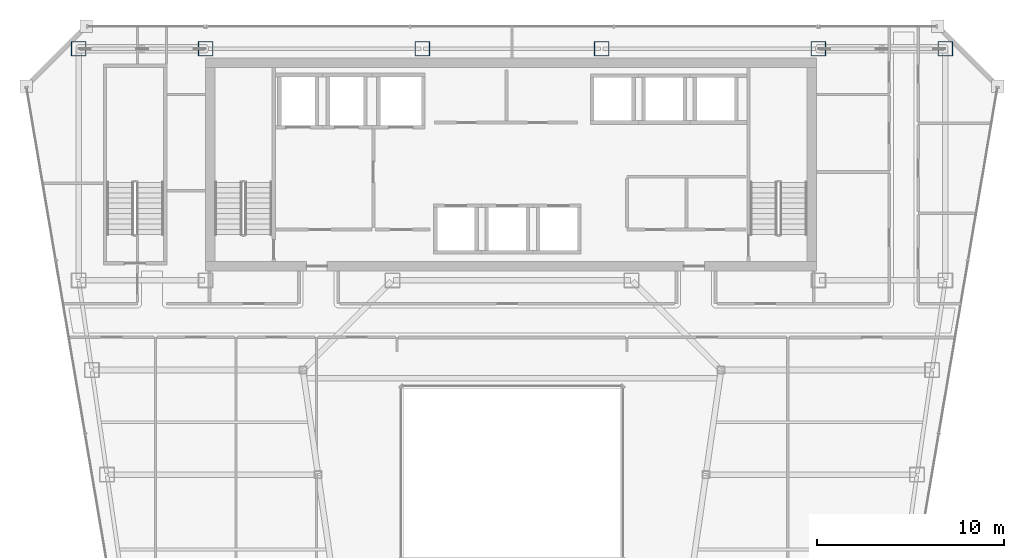
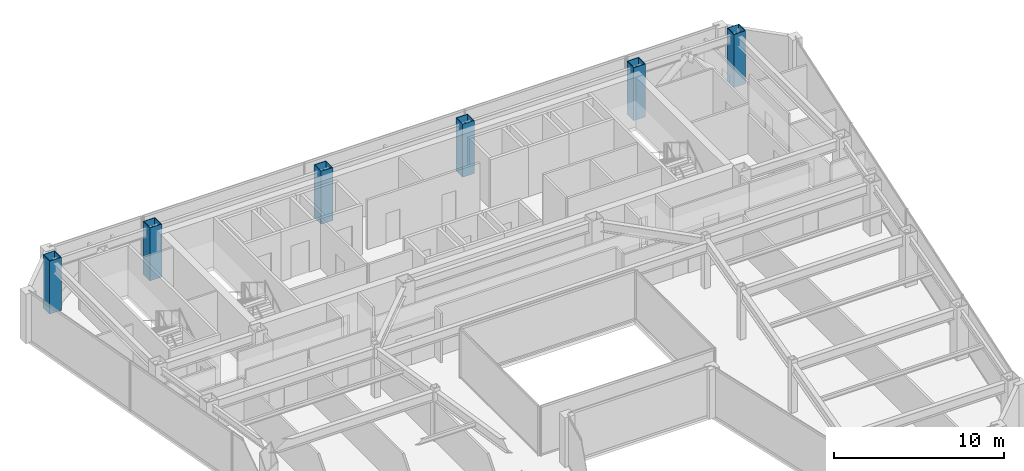
# One storey, part 2 of 36: 6 columns.
"""IFC4 building model written with IfcOpenShell, lengths in metres."""

from ifc_helpers import new_model, si_unit, direction, frame, origin, origin_2d, place, context, subcontext, project, spatial, hollow_rectangle, extrude, material, material_profile, profile_set, type_object, element, save


model = new_model("IFC4")

# Units and contexts
model_context = context("Model", 3, precision=1e-05, world=origin(), true_north=direction((0.0, 1.0)))
body_context = subcontext(model_context, "Body", "Model", "MODEL_VIEW")
ifc_project = project(units=[si_unit("LENGTHUNIT", "METRE"), si_unit("AREAUNIT", "SQUARE_METRE"), si_unit("VOLUMEUNIT", "CUBIC_METRE"), si_unit("PLANEANGLEUNIT", "RADIAN"), si_unit("MASSUNIT", "GRAM", prefix="KILO")], contexts=[model_context])

# Site, building, storey
site_placement = place(None, origin())
site = spatial("IfcSite", under=ifc_project, at=site_placement, CompositionType="ELEMENT")
building_placement = place(site_placement, origin())
building = spatial("IfcBuilding", under=site, at=building_placement, Name="Saevonmaru Cultural Tower", CompositionType="ELEMENT")
storey_placement = place(building_placement, frame((0.0, 0.0, 198.0)))
storey = spatial("IfcBuildingStorey", under=building, at=storey_placement, Name="L45", CompositionType="ELEMENT", Elevation=198.0)

# Columns
ifc_material = material(Name="Steel SM420", Category="steel")
ifc_material_profile = material_profile(ifc_material, hollow_rectangle(XDim=0.800048828125, YDim=0.800048828125, WallThickness=0.035888671875, at=origin_2d()), Name="BOX-800x800x36")
ifc_profile_set = profile_set([ifc_material_profile], Name="Steel SM420")
column_type = type_object("IfcColumnType", Name="COL-BOX-800", PredefinedType="COLUMN", material=ifc_profile_set)
for number, where, z_axis, x_axis, name in (
    (1, (6.800048828125, 54.800048828125, 0.0), (0.0, 0.0, 1.0), (1.0, 0.0, 0.0), "L45 Column TC-N1N"),
    (2, (13.60009765625, 54.800048828125, 0.0), (0.0, 0.0, 1.0), (1.0, 0.0, 0.0), "L45 Column TC-N2N"),
    (3, (25.199951171875, 54.800048828125, 0.0), (0.0, 0.0, 1.0), (1.0, 0.0, 0.0), "L45 Column TC-N3N"),
    (4, (34.800048828125, 54.800048828125, 0.0), (0.0, 0.0, 1.0), (1.0, 0.0, 0.0), "L45 Column TC-N4N"),
    (5, (46.39990234375, 54.800048828125, 0.0), (0.0, 0.0, 1.0), (1.0, 0.0, 0.0), "L45 Column TC-N5N"),
    (6, (53.199951171875, 54.800048828125, 0.0), (0.0, 0.0, 1.0), (1.0, 0.0, 0.0), "L45 Column TC-N6N"),
):
    element("IfcColumn", number, at=place(storey_placement, frame(where, z_axis=z_axis, x_axis=x_axis)), inside=storey, type_object=column_type, Name=name, PredefinedType="COLUMN", context=body_context, shape_type="SweptSolid", body=[
        extrude(hollow_rectangle(XDim=0.800048828125, YDim=0.800048828125, WallThickness=0.035888671875, at=origin_2d()), origin(), (0.0, 0.0, 1.0), 3.800048828125),
    ])

save(model, "model.ifc")
